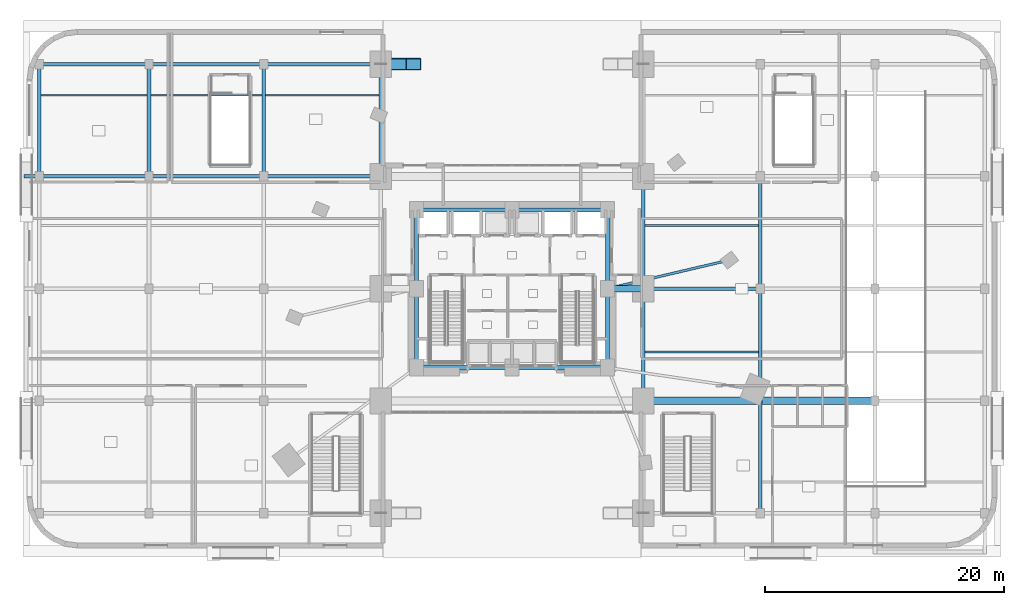
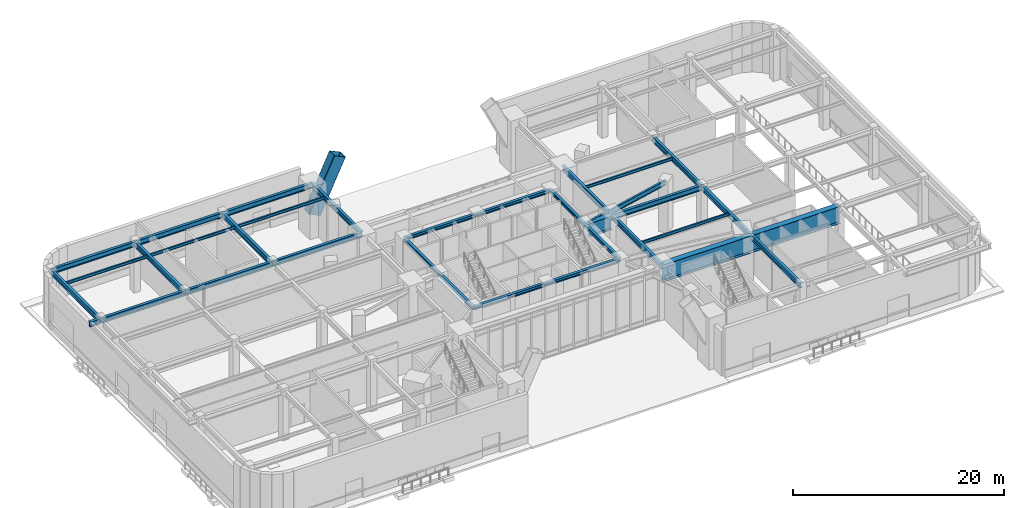
# One storey, part 9 of 27: 32 beams, 1 member.
"""IFC4 building model written with IfcOpenShell, lengths in metres."""

from ifc_helpers import new_model, si_unit, direction, frame, origin, origin_2d, place, context, subcontext, project, spatial, hollow_rectangle, i_section, extrude, material, material_profile, profile_set, type_object, element, save


model = new_model("IFC4")

# Units and contexts
model_context = context("Model", 3, precision=1e-05, world=origin(), true_north=direction((0.0, 1.0)))
body_context = subcontext(model_context, "Body", "Model", "MODEL_VIEW")
ifc_project = project(units=[si_unit("LENGTHUNIT", "METRE"), si_unit("AREAUNIT", "SQUARE_METRE"), si_unit("VOLUMEUNIT", "CUBIC_METRE"), si_unit("PLANEANGLEUNIT", "RADIAN"), si_unit("MASSUNIT", "GRAM", prefix="KILO")], contexts=[model_context])

# Site, building, storey
site_placement = place(None, origin())
site = spatial("IfcSite", under=ifc_project, at=site_placement, CompositionType="ELEMENT")
building_placement = place(site_placement, origin())
building = spatial("IfcBuilding", under=site, at=building_placement, Name="Ndelora Gate Hotel", CompositionType="ELEMENT")
storey_placement = place(building_placement, origin())
storey = spatial("IfcBuildingStorey", under=building, at=storey_placement, Name="L00", CompositionType="ELEMENT", Elevation=0.0)

# Beams
ifc_material_1 = material(Name="Steel S355", Category="steel")
ifc_material_profile_1 = material_profile(ifc_material_1, i_section(OverallWidth=0.300048828125, OverallDepth=0.39990234375, WebThickness=0.013427734375, FlangeThickness=0.02392578125, FilletRadius=0.027099609375, at=origin_2d()), Name="HEB 400")
ifc_profile_set_1 = profile_set([ifc_material_profile_1], Name="Steel S355")
beam_type_1 = type_object("IfcBeamType", Name="BM-CORE-400", PredefinedType="BEAM", material=ifc_profile_set_1)
for number, where, z_axis, x_axis, name in (
    (1, (-8.0, 6.60009765625, 5.52001953125), (1.0, 0.0, 0.0), (0.0, 1.0, 0.0), "L00 Core Tie Girder CC7-CC6"),
    (2, (0.0, 6.60009765625, 5.52001953125), (1.0, 0.0, 0.0), (0.0, 1.0, 0.0), "L00 Core Tie Girder CC6-CC5"),
):
    element("IfcBeam", number, at=place(storey_placement, frame(where, z_axis=z_axis, x_axis=x_axis)), inside=storey, type_object=beam_type_1, Name=name, PredefinedType="BEAM", context=body_context, shape_type="SweptSolid", body=[
        extrude(i_section(OverallWidth=0.300048828125, OverallDepth=0.39990234375, WebThickness=0.013427734375, FlangeThickness=0.02392578125, FilletRadius=0.027099609375, at=origin_2d()), origin(), (0.0, 0.0, 1.0), 8.0),
    ])
for number, where, z_axis, x_axis, name in (
    (3, (-8.0, -6.60009765625, 5.52001953125), (0.0, 1.0, 0.0), (-1.0, 0.0, 0.0), "L00 Core Tie Girder CC1-CC8"),
    (4, (-8.0, 0.0, 5.52001953125), (0.0, 1.0, 0.0), (-1.0, 0.0, 0.0), "L00 Core Tie Girder CC8-CC7"),
    (5, (8.0, -6.60009765625, 5.52001953125), (0.0, 1.0, 0.0), (-1.0, 0.0, 0.0), "L00 Core Tie Girder CC3-CC4"),
    (6, (8.0, 0.0, 5.52001953125), (0.0, 1.0, 0.0), (-1.0, 0.0, 0.0), "L00 Core Tie Girder CC4-CC5"),
):
    element("IfcBeam", number, at=place(storey_placement, frame(where, z_axis=z_axis, x_axis=x_axis)), inside=storey, type_object=beam_type_1, Name=name, PredefinedType="BEAM", context=body_context, shape_type="SweptSolid", body=[
        extrude(i_section(OverallWidth=0.300048828125, OverallDepth=0.39990234375, WebThickness=0.013427734375, FlangeThickness=0.02392578125, FilletRadius=0.027099609375, at=origin_2d()), origin(), (0.0, 0.0, 1.0), 6.60009765625),
    ])
for number, where, z_axis, x_axis, name in (
    (7, (-8.0, -6.60009765625, 5.52001953125), (1.0, 0.0, 0.0), (0.0, 1.0, 0.0), "L00 Core Tie Girder CC1-CC2"),
    (8, (0.0, -6.60009765625, 5.52001953125), (1.0, 0.0, 0.0), (0.0, 1.0, 0.0), "L00 Core Tie Girder CC2-CC3"),
):
    element("IfcBeam", number, at=place(storey_placement, frame(where, z_axis=z_axis, x_axis=x_axis)), inside=storey, type_object=beam_type_1, Name=name, PredefinedType="BEAM", context=body_context, shape_type="SweptSolid", body=[
        extrude(i_section(OverallWidth=0.300048828125, OverallDepth=0.39990234375, WebThickness=0.013427734375, FlangeThickness=0.02392578125, FilletRadius=0.027099609375, at=origin_2d()), origin(), (0.0, 0.0, 1.0), 8.0),
    ])
ifc_material_profile_2 = material_profile(ifc_material_1, i_section(OverallWidth=0.159912109375, OverallDepth=0.330078125, WebThickness=0.007568359375, FlangeThickness=0.011474609375, FilletRadius=0.01806640625, at=origin_2d()), Name="IPE 330")
ifc_profile_set_2 = profile_set([ifc_material_profile_2], Name="Steel S355")
beam_type_2 = type_object("IfcBeamType", Name="BM-JST-330", PredefinedType="JOIST", material=ifc_profile_set_2)
for number, where, z_axis, x_axis, name in (
    (9, (11.14990234375, -5.300048828125, 5.554931640625), (1.0, 0.0, 0.0), (0.0, 1.0, 0.0), "L00 Podium Composite Secondary Joist 5"),
    (10, (11.14990234375, 5.300048828125, 5.554931640625), (1.0, 0.0, 0.0), (0.0, 1.0, 0.0), "L00 Podium Composite Secondary Joist 5"),
):
    element("IfcBeam", number, at=place(storey_placement, frame(where, z_axis=z_axis, x_axis=x_axis)), inside=storey, type_object=beam_type_2, Name=name, PredefinedType="JOIST", context=body_context, shape_type="SweptSolid", body=[
        extrude(i_section(OverallWidth=0.159912109375, OverallDepth=0.330078125, WebThickness=0.007568359375, FlangeThickness=0.011474609375, FilletRadius=0.01806640625, at=origin_2d()), origin(), (0.0, 0.0, 1.0), 9.5),
    ])
beam_1_placement = place(storey_placement, frame((-39.449951171875, 16.199951171875, 5.554931640625), z_axis=(1.0, 0.0, 0.0), x_axis=(0.0, 1.0, 0.0)))
element("IfcBeam", 11, at=beam_1_placement, inside=storey, type_object=beam_type_2, Name="L00 Podium Composite Secondary Joist 1", PredefinedType="JOIST", context=body_context, shape_type="SweptSolid", body=[
    extrude(i_section(OverallWidth=0.159912109375, OverallDepth=0.330078125, WebThickness=0.007568359375, FlangeThickness=0.011474609375, FilletRadius=0.01806640625, at=origin_2d()), origin(), (0.0, 0.0, 1.0), 8.89990234375),
])
beam_2_placement = place(storey_placement, frame((-30.25, 16.199951171875, 5.554931640625), z_axis=(1.0, 0.0, 0.0), x_axis=(0.0, 1.0, 0.0)))
element("IfcBeam", 12, at=beam_2_placement, inside=storey, type_object=beam_type_2, Name="L00 Podium Composite Secondary Joist 2", PredefinedType="JOIST", context=body_context, shape_type="SweptSolid", body=[
    extrude(i_section(OverallWidth=0.159912109375, OverallDepth=0.330078125, WebThickness=0.007568359375, FlangeThickness=0.011474609375, FilletRadius=0.01806640625, at=origin_2d()), origin(), (0.0, 0.0, 1.0), 9.300048828125),
])
beam_3_placement = place(storey_placement, frame((-20.64990234375, 16.199951171875, 5.554931640625), z_axis=(1.0, 0.0, 0.0), x_axis=(0.0, 1.0, 0.0)))
element("IfcBeam", 13, at=beam_3_placement, inside=storey, type_object=beam_type_2, Name="L00 Podium Composite Secondary Joist 3", PredefinedType="JOIST", context=body_context, shape_type="SweptSolid", body=[
    extrude(i_section(OverallWidth=0.159912109375, OverallDepth=0.330078125, WebThickness=0.007568359375, FlangeThickness=0.011474609375, FilletRadius=0.01806640625, at=origin_2d()), origin(), (0.0, 0.0, 1.0), 9.5),
])
ifc_material_profile_3 = material_profile(ifc_material_1, i_section(OverallWidth=0.300048828125, OverallDepth=0.60009765625, WebThickness=0.015380859375, FlangeThickness=0.030029296875, FilletRadius=0.027099609375, at=origin_2d()), Name="HEB 600")
ifc_profile_set_3 = profile_set([ifc_material_profile_3], Name="Steel S355")
beam_type_3 = type_object("IfcBeamType", Name="BM-POD-600", PredefinedType="BEAM", material=ifc_profile_set_3)
for number, where, z_axis, x_axis, name in (
    (14, (-39.60009765625, 9.39990234375, 5.419921875), (0.0, 1.0, 0.0), (-1.0, 0.0, 0.0), "L00 Podium Longitudinal Girder X=-39.6"),
    (15, (-30.39990234375, 9.39990234375, 5.419921875), (0.0, 1.0, 0.0), (-1.0, 0.0, 0.0), "L00 Podium Longitudinal Girder X=-30.4"),
    (16, (-20.800048828125, 9.39990234375, 5.419921875), (0.0, 1.0, 0.0), (-1.0, 0.0, 0.0), "L00 Podium Longitudinal Girder X=-20.8"),
    (17, (-11.0, 9.39990234375, 5.419921875), (0.0, 1.0, 0.0), (-1.0, 0.0, 0.0), "L00 Podium Longitudinal Girder X=-11.0"),
):
    element("IfcBeam", number, at=place(storey_placement, frame(where, z_axis=z_axis, x_axis=x_axis)), inside=storey, type_object=beam_type_3, Name=name, PredefinedType="BEAM", context=body_context, shape_type="SweptSolid", body=[
        extrude(i_section(OverallWidth=0.300048828125, OverallDepth=0.60009765625, WebThickness=0.015380859375, FlangeThickness=0.030029296875, FilletRadius=0.027099609375, at=origin_2d()), origin(), (0.0, 0.0, 1.0), 9.400146484375),
    ])
for number, where, z_axis, x_axis, name in (
    (18, (11.0, -9.39990234375, 5.419921875), (0.0, 1.0, 0.0), (-1.0, 0.0, 0.0), "L00 Podium Longitudinal Girder X=+11.0"),
    (19, (11.0, 0.0, 5.419921875), (0.0, 1.0, 0.0), (-1.0, 0.0, 0.0), "L00 Podium Longitudinal Girder X=+11.0"),
):
    element("IfcBeam", number, at=place(storey_placement, frame(where, z_axis=z_axis, x_axis=x_axis)), inside=storey, type_object=beam_type_3, Name=name, PredefinedType="BEAM", context=body_context, shape_type="SweptSolid", body=[
        extrude(i_section(OverallWidth=0.300048828125, OverallDepth=0.60009765625, WebThickness=0.015380859375, FlangeThickness=0.030029296875, FilletRadius=0.027099609375, at=origin_2d()), origin(), (0.0, 0.0, 1.0), 9.39990234375),
    ])
beam_4_placement = place(storey_placement, frame((20.800048828125, -18.800048828125, 5.419921875), z_axis=(0.0, 1.0, 0.0), x_axis=(-1.0, 0.0, 0.0)))
element("IfcBeam", 20, at=beam_4_placement, inside=storey, type_object=beam_type_3, Name="L00 Podium Longitudinal Girder X=+20.8", PredefinedType="BEAM", context=body_context, shape_type="SweptSolid", body=[
    extrude(i_section(OverallWidth=0.300048828125, OverallDepth=0.60009765625, WebThickness=0.015380859375, FlangeThickness=0.030029296875, FilletRadius=0.027099609375, at=origin_2d()), origin(), (0.0, 0.0, 1.0), 18.800048828125),
])
beam_5_placement = place(storey_placement, frame((20.800048828125, 0.0, 5.419921875), z_axis=(0.0, 1.0, 0.0), x_axis=(-1.0, 0.0, 0.0)))
element("IfcBeam", 21, at=beam_5_placement, inside=storey, type_object=beam_type_3, Name="L00 Podium Longitudinal Girder X=+20.8", PredefinedType="BEAM", context=body_context, shape_type="SweptSolid", body=[
    extrude(i_section(OverallWidth=0.300048828125, OverallDepth=0.60009765625, WebThickness=0.015380859375, FlangeThickness=0.030029296875, FilletRadius=0.027099609375, at=origin_2d()), origin(), (0.0, 0.0, 1.0), 9.39990234375),
])
beam_6_placement = place(storey_placement, frame((11.0, 0.0, 5.419921875), z_axis=(1.0, 0.0, 0.0), x_axis=(0.0, 1.0, 0.0)))
element("IfcBeam", 22, at=beam_6_placement, inside=storey, type_object=beam_type_3, Name="L00 Podium Transverse Girder Y=+0.0", PredefinedType="BEAM", context=body_context, shape_type="SweptSolid", body=[
    extrude(i_section(OverallWidth=0.300048828125, OverallDepth=0.60009765625, WebThickness=0.015380859375, FlangeThickness=0.030029296875, FilletRadius=0.027099609375, at=origin_2d()), origin(), (0.0, 0.0, 1.0), 9.800048828125),
])
beam_7_placement = place(storey_placement, frame((-39.60009765625, 9.39990234375, 5.419921875), z_axis=(1.0, 0.0, 0.0), x_axis=(0.0, 1.0, 0.0)))
element("IfcBeam", 23, at=beam_7_placement, inside=storey, type_object=beam_type_3, Name="L00 Podium Transverse Girder Y=+9.4", PredefinedType="BEAM", context=body_context, shape_type="SweptSolid", body=[
    extrude(i_section(OverallWidth=0.300048828125, OverallDepth=0.60009765625, WebThickness=0.015380859375, FlangeThickness=0.030029296875, FilletRadius=0.027099609375, at=origin_2d()), origin(), (0.0, 0.0, 1.0), 9.2001953125),
])
beam_8_placement = place(storey_placement, frame((-30.39990234375, 9.39990234375, 5.419921875), z_axis=(1.0, 0.0, 0.0), x_axis=(0.0, 1.0, 0.0)))
element("IfcBeam", 24, at=beam_8_placement, inside=storey, type_object=beam_type_3, Name="L00 Podium Transverse Girder Y=+9.4", PredefinedType="BEAM", context=body_context, shape_type="SweptSolid", body=[
    extrude(i_section(OverallWidth=0.300048828125, OverallDepth=0.60009765625, WebThickness=0.015380859375, FlangeThickness=0.030029296875, FilletRadius=0.027099609375, at=origin_2d()), origin(), (0.0, 0.0, 1.0), 9.599853515625),
])
beam_9_placement = place(storey_placement, frame((-20.800048828125, 9.39990234375, 5.419921875), z_axis=(1.0, 0.0, 0.0), x_axis=(0.0, 1.0, 0.0)))
element("IfcBeam", 25, at=beam_9_placement, inside=storey, type_object=beam_type_3, Name="L00 Podium Transverse Girder Y=+9.4", PredefinedType="BEAM", context=body_context, shape_type="SweptSolid", body=[
    extrude(i_section(OverallWidth=0.300048828125, OverallDepth=0.60009765625, WebThickness=0.015380859375, FlangeThickness=0.030029296875, FilletRadius=0.027099609375, at=origin_2d()), origin(), (0.0, 0.0, 1.0), 9.800048828125),
])
beam_10_placement = place(storey_placement, frame((-39.60009765625, 18.800048828125, 5.419921875), z_axis=(1.0, 0.0, 0.0), x_axis=(0.0, 1.0, 0.0)))
element("IfcBeam", 26, at=beam_10_placement, inside=storey, type_object=beam_type_3, Name="L00 Podium Transverse Girder Y=+18.8", PredefinedType="BEAM", context=body_context, shape_type="SweptSolid", body=[
    extrude(i_section(OverallWidth=0.300048828125, OverallDepth=0.60009765625, WebThickness=0.015380859375, FlangeThickness=0.030029296875, FilletRadius=0.027099609375, at=origin_2d()), origin(), (0.0, 0.0, 1.0), 9.2001953125),
])
beam_11_placement = place(storey_placement, frame((-30.39990234375, 18.800048828125, 5.419921875), z_axis=(1.0, 0.0, 0.0), x_axis=(0.0, 1.0, 0.0)))
element("IfcBeam", 27, at=beam_11_placement, inside=storey, type_object=beam_type_3, Name="L00 Podium Transverse Girder Y=+18.8", PredefinedType="BEAM", context=body_context, shape_type="SweptSolid", body=[
    extrude(i_section(OverallWidth=0.300048828125, OverallDepth=0.60009765625, WebThickness=0.015380859375, FlangeThickness=0.030029296875, FilletRadius=0.027099609375, at=origin_2d()), origin(), (0.0, 0.0, 1.0), 9.599853515625),
])
beam_12_placement = place(storey_placement, frame((-20.800048828125, 18.800048828125, 5.419921875), z_axis=(1.0, 0.0, 0.0), x_axis=(0.0, 1.0, 0.0)))
element("IfcBeam", 28, at=beam_12_placement, inside=storey, type_object=beam_type_3, Name="L00 Podium Transverse Girder Y=+18.8", PredefinedType="BEAM", context=body_context, shape_type="SweptSolid", body=[
    extrude(i_section(OverallWidth=0.300048828125, OverallDepth=0.60009765625, WebThickness=0.015380859375, FlangeThickness=0.030029296875, FilletRadius=0.027099609375, at=origin_2d()), origin(), (0.0, 0.0, 1.0), 9.800048828125),
])
beam_13_placement = place(storey_placement, frame((-39.75, 9.39990234375, 5.419921875), z_axis=(-1.0, 0.0, 0.0), x_axis=(0.0, -1.0, 0.0)))
element("IfcBeam", 29, at=beam_13_placement, inside=storey, type_object=beam_type_3, Name="L00 West Porte-Cochere Canopy Outrigger 3", PredefinedType="BEAM", context=body_context, shape_type="SweptSolid", body=[
    extrude(i_section(OverallWidth=0.300048828125, OverallDepth=0.60009765625, WebThickness=0.015380859375, FlangeThickness=0.030029296875, FilletRadius=0.027099609375, at=origin_2d()), origin(), (0.0, 0.0, 1.0), 1.10009765625),
])
ifc_material_profile_4 = material_profile(ifc_material_1, i_section(OverallWidth=0.2099609375, OverallDepth=0.550048828125, WebThickness=0.010986328125, FlangeThickness=0.01708984375, FilletRadius=0.02392578125, at=origin_2d()), Name="IPE 550")
ifc_profile_set_4 = profile_set([ifc_material_profile_4], Name="Steel S355")
beam_type_4 = type_object("IfcBeamType", Name="BM-RAD-550", PredefinedType="BEAM", material=ifc_profile_set_4)
beam_14_placement = place(storey_placement, frame((8.0, 0.0, 5.445068359375), z_axis=(0.973517848051, 0.22861102232, 0.0), x_axis=(-0.22861102232, 0.973517848051, 0.0)))
element("IfcBeam", 30, at=beam_14_placement, inside=storey, type_object=beam_type_4, Name="L00 Tower Root Radial Tie Beam 10", PredefinedType="BEAM", context=body_context, shape_type="SweptSolid", body=[
    extrude(i_section(OverallWidth=0.2099609375, OverallDepth=0.550048828125, WebThickness=0.010986328125, FlangeThickness=0.01708984375, FilletRadius=0.02392578125, at=origin_2d()), origin(), (0.0, 0.0, 1.0), 10.48486328125),
])
ifc_material_2 = material(Name="Steel S460", Category="steel")
ifc_material_profile_5 = material_profile(ifc_material_2, i_section(OverallWidth=0.550048828125, OverallDepth=1.60009765625, WebThickness=0.02587890625, FlangeThickness=0.0380859375, FilletRadius=0.02392578125, at=origin_2d()), Name="PG 1600x550x38")
ifc_profile_set_5 = profile_set([ifc_material_profile_5], Name="Steel S460")
beam_type_5 = type_object("IfcBeamType", Name="BM-TR-1600", PredefinedType="BEAM", material=ifc_profile_set_5)
beam_15_placement = place(storey_placement, frame((8.5, 0.0, 4.919921875), z_axis=(1.0, 0.0, 0.0), x_axis=(0.0, 1.0, 0.0)))
element("IfcBeam", 31, at=beam_15_placement, inside=storey, type_object=beam_type_5, Name="L00 structural beam TG-2", PredefinedType="BEAM", context=body_context, shape_type="SweptSolid", body=[
    extrude(i_section(OverallWidth=0.550048828125, OverallDepth=1.60009765625, WebThickness=0.02587890625, FlangeThickness=0.0380859375, FilletRadius=0.02392578125, at=origin_2d()), origin(), (0.0, 0.0, 1.0), 2.35009765625),
])
ifc_material_profile_6 = material_profile(ifc_material_2, i_section(OverallWidth=0.6201171875, OverallDepth=2.0, WebThickness=0.028076171875, FlangeThickness=0.0400390625, FilletRadius=0.02392578125, at=origin_2d()), Name="PG 2000x620x40")
ifc_profile_set_6 = profile_set([ifc_material_profile_6], Name="Steel S460")
beam_type_6 = type_object("IfcBeamType", Name="BM-TR-2000", PredefinedType="BEAM", material=ifc_profile_set_6)
beam_16_placement = place(storey_placement, frame((11.0, -9.39990234375, 4.719970703125), z_axis=(1.0, 0.0, 0.0), x_axis=(0.0, 1.0, 0.0)))
element("IfcBeam", 32, at=beam_16_placement, inside=storey, type_object=beam_type_6, Name="L00 Podium Transverse Girder Y=-9.4", PredefinedType="BEAM", context=body_context, shape_type="SweptSolid", body=[
    extrude(i_section(OverallWidth=0.6201171875, OverallDepth=2.0, WebThickness=0.028076171875, FlangeThickness=0.0400390625, FilletRadius=0.02392578125, at=origin_2d()), origin(), (0.0, 0.0, 1.0), 19.39990234375),
])

# Member
ifc_material_profile_7 = material_profile(ifc_material_2, hollow_rectangle(XDim=1.0, YDim=1.39990234375, WallThickness=0.0400390625, InnerFilletRadius=0.0400390625, OuterFilletRadius=0.080078125, at=origin_2d()), Name="BOX 1400x1000x40")
ifc_profile_set_7 = profile_set([ifc_material_profile_7], Name="Steel S460")
member_type = type_object("IfcMemberType", Name="MB-ARCH-RIB1", PredefinedType="CHORD", material=ifc_profile_set_7)
member_placement = place(storey_placement, frame((-11.0, 18.800048828125, 2.199951171875), z_axis=(0.427287163011, 0.0, 0.904115966194), x_axis=(0.0, 1.0, 0.0)))
element("IfcMember", 33, at=member_placement, inside=storey, type_object=member_type, Name="Portal Arch Parabolic Rib N-1", PredefinedType="CHORD", context=body_context, shape_type="SweptSolid", body=[
    extrude(hollow_rectangle(XDim=1.0, YDim=1.39990234375, WallThickness=0.0400390625, InnerFilletRadius=0.0400390625, OuterFilletRadius=0.080078125, at=origin_2d()), origin(), (0.0, 0.0, 1.0), 6.43603515625),
])

save(model, "model.ifc")
